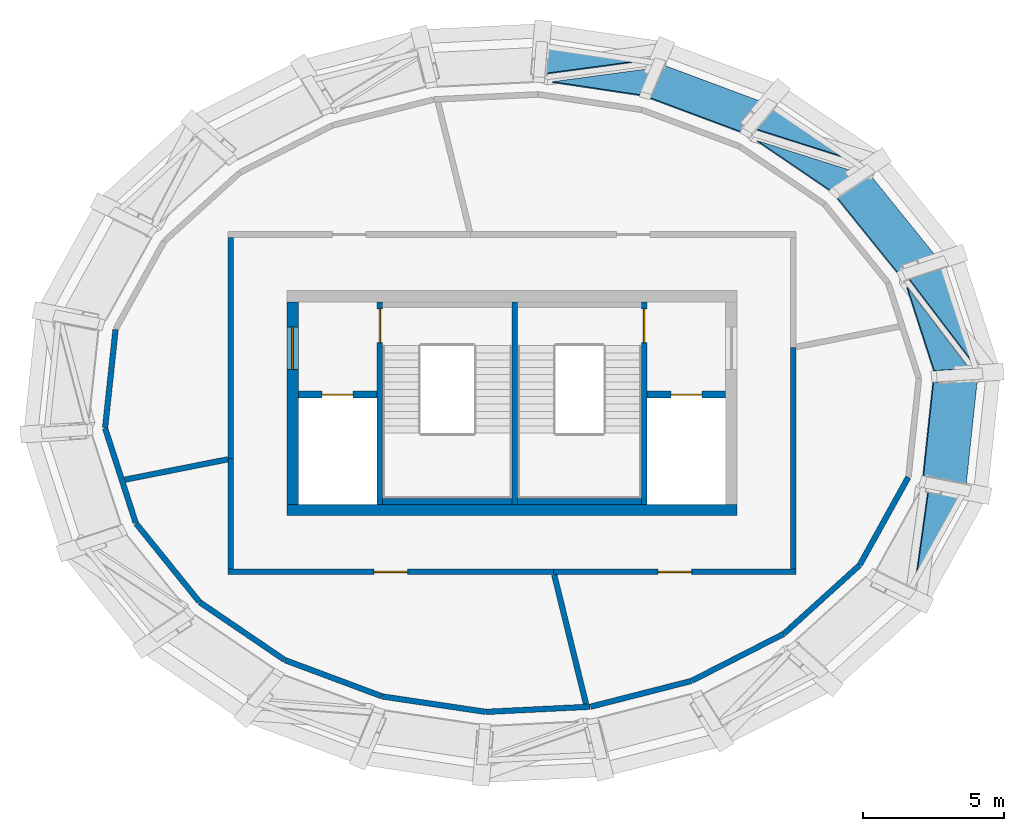
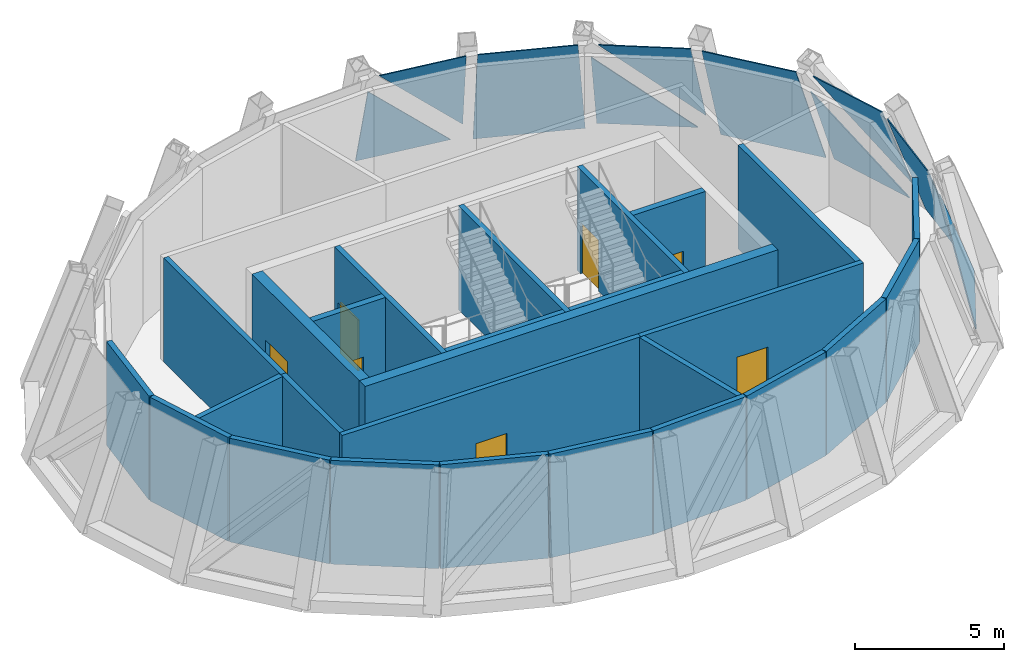
# One storey, part 4 of 6: 26 walls, 10 plates, 7 doors, 7 openings, 1 element without a shape of its own.
"""IFC4 building model written with IfcOpenShell, lengths in metres."""

from ifc_helpers import new_model, si_unit, direction, frame, frame_2d, origin, place, context, subcontext, project, spatial, polyline, rectangle, outline, extrude, source, transform, mapped, material, layer, layer_set, type_object, element, fill, aggregate, save


model = new_model("IFC4")

# Units and contexts
model_context = context("Model", 3, precision=1e-05, world=origin(), true_north=direction((0.0, 1.0)))
body_context = subcontext(model_context, "Body", "Model", "MODEL_VIEW")
ifc_project = project(units=[si_unit("LENGTHUNIT", "METRE"), si_unit("AREAUNIT", "SQUARE_METRE"), si_unit("VOLUMEUNIT", "CUBIC_METRE"), si_unit("PLANEANGLEUNIT", "RADIAN"), si_unit("MASSUNIT", "GRAM", prefix="KILO")], contexts=[model_context])

# Site, building, storey
site_placement = place(None, origin())
site = spatial("IfcSite", under=ifc_project, at=site_placement, CompositionType="ELEMENT")
building_placement = place(site_placement, origin())
building = spatial("IfcBuilding", under=site, at=building_placement, Name="Embergate Tower", CompositionType="ELEMENT")
storey_placement = place(building_placement, frame((0.0, 0.0, 361.0)))
storey = spatial("IfcBuildingStorey", under=building, at=storey_placement, Name="L82", CompositionType="ELEMENT", Elevation=361.0)

# Curtain wall, plates
ifc_material_1 = material(Name="Aluminium and glass", Category="aluminium")
curtain_wall_type = type_object("IfcCurtainWallType", Name="Crown facet glazing", PredefinedType="NOTDEFINED", material=ifc_material_1)
curtain_wall_placement = place(storey_placement, origin())
curtain_wall = element("IfcCurtainWall", 1, at=curtain_wall_placement, inside=storey, type_object=curtain_wall_type, Name="Crown facet glazing L82", ObjectType="CROWN FACET GLAZING", PredefinedType="USERDEFINED")
ifc_material_2 = material(Name="Triple glazing, low-emissivity coating", Category="glass")
ifc_layer_1 = layer(ifc_material_2, 0.0400390625)
ifc_layer_set_1 = layer_set([ifc_layer_1], Name="Triple glazing, low-emissivity coating")
plate_type = type_object("IfcPlateType", Name="Crown facet glazing unit", PredefinedType="CURTAIN_PANEL", material=ifc_layer_set_1)
shared_shape_1 = source(origin(), body_context, "Body", "SweptSolid", [
    extrude(outline(polyline([(0.0, 0.0), (3.406494140625, 0.0), (3.39599609375, 3.597412109375), (0.0, 0.0)])), origin(), (0.0, 0.0, -1.0), 0.0400390625),
])
plate_1_placement = place(storey_placement, frame((16.321044921875, 1.547607421875, 0.123291015625), z_axis=(0.897609009473, 0.28987403469, 0.332070941404), x_axis=(-0.30731267231, 0.951608596765, 0.0)))
plate_1 = element("IfcPlate", 2, at=plate_1_placement, type_object=plate_type, Name="CW panel 1.1", PredefinedType="CURTAIN_PANEL", context=body_context, shape_type="MappedRepresentation", body=[
    mapped(shared_shape_1, transform((0.0, 0.0, 0.0))),
])
shared_shape_2 = source(origin(), body_context, "Body", "SweptSolid", [
    extrude(outline(polyline([(0.0, 0.0), (4.981689453125, 0.0), (2.843505859375, 2.2646484375), (0.0, 0.0)])), origin(), (0.0, 0.0, -1.0), 0.0400390625),
])
plate_2_placement = place(storey_placement, frame((16.260009765625, 1.234619140625, 0.923095703125), z_axis=(0.897613517919, 0.290158616387, 0.331810111035), x_axis=(-0.440729406266, 0.579030127325, 0.685916687435)))
plate_2 = element("IfcPlate", 3, at=plate_2_placement, type_object=plate_type, Name="CW panel 1.2", PredefinedType="CURTAIN_PANEL", context=body_context, shape_type="MappedRepresentation", body=[
    mapped(shared_shape_2, transform((0.0, 0.0, 0.0))),
])
shared_shape_3 = source(origin(), body_context, "Body", "SweptSolid", [
    extrude(outline(polyline([(0.0, 0.0), (3.784912109375, 0.0), (3.9189453125, 4.533203125), (0.53125, 4.533447265625), (0.0, 0.0)])), origin(), (0.0, 0.0, -1.0), 0.0400390625),
])
plate_3_placement = place(storey_placement, frame((15.14599609375, 5.14111328125, 0.009521484375), z_axis=(0.738843301472, 0.596745638142, 0.313057852845), x_axis=(-0.628330855292, 0.777946229662, 6.466157e-06)))
plate_3 = element("IfcPlate", 4, at=plate_3_placement, type_object=plate_type, Name="CW panel 2.1", PredefinedType="CURTAIN_PANEL", context=body_context, shape_type="MappedRepresentation", body=[
    mapped(shared_shape_3, transform((0.0, 0.0, 0.0))),
])
shared_shape_4 = source(origin(), body_context, "Body", "SweptSolid", [
    extrude(outline(polyline([(0.0, 0.0), (3.411376953125, 0.0), (3.525146484375, 3.5830078125), (0.0, 0.0)])), origin(), (0.0, 0.0, -1.0), 0.0400390625),
])
plate_4_placement = place(storey_placement, frame((12.198486328125, 8.635009765625, 0.16455078125), z_axis=(0.537622376825, 0.790661392925, 0.29294494649), x_axis=(-0.826939812715, 0.56229044643, 0.0)))
plate_4 = element("IfcPlate", 5, at=plate_4_placement, type_object=plate_type, Name="CW panel 3.1", PredefinedType="CURTAIN_PANEL", context=body_context, shape_type="MappedRepresentation", body=[
    mapped(shared_shape_4, transform((0.0, 0.0, 0.0))),
])
shared_shape_5 = source(origin(), body_context, "Body", "SweptSolid", [
    extrude(outline(polyline([(0.0, 0.0), (5.058837890625, 0.0), (2.873779296875, 2.220947265625), (0.0, 0.0)])), origin(), (0.0, 0.0, -1.0), 0.0400390625),
])
plate_5_placement = place(storey_placement, frame((12.26123046875, 8.2109375, 0.886474609375), z_axis=(0.537637181589, 0.790647321252, 0.29295575497), x_axis=(-0.697362247419, 0.221659847917, 0.681581108671)))
plate_5 = element("IfcPlate", 6, at=plate_5_placement, type_object=plate_type, Name="CW panel 3.2", PredefinedType="CURTAIN_PANEL", context=body_context, shape_type="MappedRepresentation", body=[
    mapped(shared_shape_5, transform((0.0, 0.0, 0.0))),
])
shared_shape_6 = source(origin(), body_context, "Body", "SweptSolid", [
    extrude(outline(polyline([(0.0, 0.0), (3.82080078125, 0.0), (3.878173828125, 4.50048828125), (0.454345703125, 4.500244140625), (0.0, 0.0)])), origin(), (0.0, 0.0, -1.0), 0.0400390625),
])
plate_6_placement = place(storey_placement, frame((8.99755859375, 10.67724609375, 0.014892578125), z_axis=(0.335863416403, 0.899870911755, 0.278259065799), x_axis=(-0.936870648533, 0.349676118454, -1.002946e-05)))
plate_6 = element("IfcPlate", 7, at=plate_6_placement, type_object=plate_type, Name="CW panel 4.1", PredefinedType="CURTAIN_PANEL", context=body_context, shape_type="MappedRepresentation", body=[
    mapped(shared_shape_6, transform((0.0, 0.0, 0.0))),
])
shared_shape_7 = source(origin(), body_context, "Body", "SweptSolid", [
    extrude(outline(polyline([(0.0, 0.0), (3.426025390625, 0.0), (3.361083984375, 3.58984375), (0.0, 0.0)])), origin(), (0.0, 0.0, -1.0), 0.0400390625),
])
plate_7_placement = place(storey_placement, frame((4.6455078125, 12.194580078125, 0.150390625), z_axis=(0.14202404276, 0.952247192978, 0.270285875961), x_axis=(-0.989059890723, 0.147514516449, 0.0)))
plate_7 = element("IfcPlate", 8, at=plate_7_placement, type_object=plate_type, Name="CW panel 5.1", PredefinedType="CURTAIN_PANEL", context=body_context, shape_type="MappedRepresentation", body=[
    mapped(shared_shape_7, transform((0.0, 0.0, 0.0))),
])
shared_shape_8 = source(origin(), body_context, "Body", "SweptSolid", [
    extrude(outline(polyline([(0.0, 0.0), (4.9697265625, 0.0), (2.8232421875, 2.29296875), (0.0, 0.0)])), origin(), (0.0, 0.0, -1.0), 0.0400390625),
])
plate_8_placement = place(storey_placement, frame((4.9462890625, 11.90283203125, 0.852783203125), z_axis=(0.142043532804, 0.952245474921, 0.270281686912), x_axis=(-0.705058771486, -0.094322243677, 0.7028480939)))
plate_8 = element("IfcPlate", 9, at=plate_8_placement, type_object=plate_type, Name="CW panel 5.2", PredefinedType="CURTAIN_PANEL", context=body_context, shape_type="MappedRepresentation", body=[
    mapped(shared_shape_8, transform((0.0, 0.0, 0.0))),
])
shared_shape_9 = source(origin(), body_context, "Body", "SweptSolid", [
    extrude(outline(polyline([(0.0, 0.0), (3.419921875, 0.0), (3.04296875, 3.606201171875), (0.0, 0.0)])), origin(), (0.0, 0.0, -1.0), 0.0400390625),
])
plate_9_placement = place(storey_placement, frame((14.377197265625, -6.26708984375, 0.152587890625), z_axis=(0.828123499089, -0.457869408339, 0.323368327396), x_axis=(0.483865990963, 0.87514210434, 0.0)))
plate_9 = element("IfcPlate", 10, at=plate_9_placement, type_object=plate_type, Name="CW panel 21.1", PredefinedType="CURTAIN_PANEL", context=body_context, shape_type="MappedRepresentation", body=[
    mapped(shared_shape_9, transform((0.0, 0.0, 0.0))),
])
shared_shape_10 = source(origin(), body_context, "Body", "SweptSolid", [
    extrude(outline(polyline([(0.0, 0.0), (3.758544921875, 0.0), (3.495361328125, 4.560546875), (0.133056640625, 4.560546875), (0.0, 0.0)])), origin(), (0.0, 0.0, -1.0), 0.0400390625),
])
plate_10_placement = place(storey_placement, frame((16.15380859375, -2.890625, 0.018798828125), z_axis=(0.936275754691, -0.099622348687, 0.336842839941), x_axis=(0.10580611135, 0.994386779276, -1.633699e-06)))
plate_10 = element("IfcPlate", 11, at=plate_10_placement, type_object=plate_type, Name="CW panel 22.1", PredefinedType="CURTAIN_PANEL", context=body_context, shape_type="MappedRepresentation", body=[
    mapped(shared_shape_10, transform((0.0, 0.0, 0.0))),
])
aggregate(curtain_wall, [plate_1, plate_2, plate_3, plate_4, plate_5, plate_6, plate_7, plate_8, plate_9, plate_10])

# Wall
ifc_material_3 = material(Name="Concrete C50", Category="concrete")
ifc_layer_2 = layer(ifc_material_3, 0.39990234375)
ifc_layer_set_2 = layer_set([ifc_layer_2], Name="Concrete C50")
wall_type_1 = type_object("IfcWallType", Name="Core outer wall C50 400", PredefinedType="SHEAR", material=ifc_layer_set_2)
shared_shape_11 = source(origin(), body_context, "Body", "SweptSolid", [
    extrude(rectangle(XDim=16.0, YDim=0.39990234375, at=frame_2d((8.0, 0.0))), origin(), (0.0, 0.0, 1.0), 4.5),
])
wall_1_placement = place(storey_placement, frame((-8.0, -3.800048828125, -0.25), z_axis=(0.0, 0.0, 1.0), x_axis=(1.0, 0.0, 0.0)))
element("IfcWall", 12, at=wall_1_placement, inside=storey, type_object=wall_type_1, Name="CW-L82-S", PredefinedType="SHEAR", context=body_context, shape_type="MappedRepresentation", body=[
    mapped(shared_shape_11, transform((0.0, 0.0, 0.0))),
])

# Wall, opening, door
shared_shape_12 = source(origin(), body_context, "Body", "SweptSolid", [
    extrude(rectangle(XDim=7.2001953125, YDim=0.39990234375, at=frame_2d((3.60009765625, 0.0))), origin(), (0.0, 0.0, 1.0), 4.5),
])
wall_2_placement = place(storey_placement, frame((-7.800048828125, -3.60009765625, -0.25), z_axis=(0.0, 0.0, 1.0), x_axis=(0.0, 1.0, 0.0)))
wall_2 = element("IfcWall", 13, at=wall_2_placement, inside=storey, type_object=wall_type_1, Name="CW-L82-W", PredefinedType="SHEAR", context=body_context, shape_type="MappedRepresentation", body=[
    mapped(shared_shape_12, transform((0.0, 0.0, 0.0))),
])
shared_shape_13 = source(origin(), body_context, "Body", "SweptSolid", [
    extrude(rectangle(XDim=1.5, YDim=2.10009765625, at=frame_2d((0.75, 1.050048828125))), frame((0.0, 0.2099609375, 0.0), z_axis=(0.0, -1.0, 0.0), x_axis=(1.0, 0.0, 0.0)), (0.0, 0.0, 1.0), 0.419921875),
])
opening_1_placement = place(wall_2_placement, frame((4.800048828125, 0.0, 0.25)))
opening_1 = element("IfcOpeningElement", 14, at=opening_1_placement, cuts=wall_2, Name="Opening IF-3", PredefinedType="OPENING", context=body_context, shape_type="MappedRepresentation", body=[
    mapped(shared_shape_13, transform((0.0, 0.0, 0.0))),
])
ifc_material_4 = material(Name="Lobby fire door pair 1500")
door_type_1 = type_object("IfcDoorType", Name="Lobby fire door pair 1500", OperationType="DOUBLE_DOOR_SINGLE_SWING", PredefinedType="DOOR", material=ifc_material_4)
shared_shape_14 = source(origin(), body_context, "Body", "SweptSolid", [
    extrude(rectangle(XDim=1.5, YDim=2.10009765625, at=frame_2d((0.75, 1.050048828125))), frame((0.0, 0.02490234375, 0.0), z_axis=(0.0, -1.0, 0.0), x_axis=(1.0, 0.0, 0.0)), (0.0, 0.0, 1.0), 0.050048828125),
])
door_1_placement = place(opening_1_placement, origin())
door_1 = element("IfcDoor", 15, at=door_1_placement, inside=storey, type_object=door_type_1, Name="IF-3 door", OperationType="DOUBLE_DOOR_SINGLE_SWING", OverallHeight=2.10009765625, OverallWidth=1.5, PredefinedType="DOOR", context=body_context, shape_type="MappedRepresentation", body=[
    mapped(shared_shape_14, transform((0.0, 0.0, 0.0))),
])
fill(opening_1, door_1)

# Walls
ifc_material_5 = material(Name="Terracotta louvre cladding on insulated backing", Category="masonry")
ifc_layer_3 = layer(ifc_material_5, 0.199951171875)
ifc_layer_set_3 = layer_set([ifc_layer_3], Name="Terracotta louvre cladding on insulated backing")
wall_type_2 = type_object("IfcWallType", Name="Terracotta louvre wall", PredefinedType="SOLIDWALL", material=ifc_layer_set_3)
shared_shape_15 = source(origin(), body_context, "Body", "SweptSolid", [
    extrude(rectangle(XDim=3.588623046875, YDim=0.199951171875, at=frame_2d((1.79443359375, 0.0))), origin(), (0.0, 0.0, 1.0), 4.25),
])
wall_3_placement = place(storey_placement, frame((-11.118408203125, -7.068603515625, 0.0), z_axis=(0.0, 0.0, 1.0), x_axis=(-0.62833869063, 0.777939901186, 0.0)))
element("IfcWall", 16, at=wall_3_placement, inside=storey, type_object=wall_type_2, Name="Crown louvre wall 12", PredefinedType="SOLIDWALL", context=body_context, shape_type="MappedRepresentation", body=[
    mapped(shared_shape_15, transform((0.0, 0.0, 0.0))),
])
shared_shape_16 = source(origin(), body_context, "Body", "SweptSolid", [
    extrude(rectangle(XDim=3.645263671875, YDim=0.199951171875, at=frame_2d((1.82275390625, 0.0))), origin(), (0.0, 0.0, 1.0), 4.25),
])
wall_4_placement = place(storey_placement, frame((-8.089599609375, -9.131591796875, 0.0), z_axis=(0.0, 0.0, 1.0), x_axis=(-0.826956398418, 0.562266053675, 0.0)))
element("IfcWall", 17, at=wall_4_placement, inside=storey, type_object=wall_type_2, Name="Crown louvre wall 13", PredefinedType="SOLIDWALL", context=body_context, shape_type="MappedRepresentation", body=[
    mapped(shared_shape_16, transform((0.0, 0.0, 0.0))),
])
shared_shape_17 = source(origin(), body_context, "Body", "SweptSolid", [
    extrude(rectangle(XDim=3.682373046875, YDim=0.199951171875, at=frame_2d((1.84130859375, 0.0))), origin(), (0.0, 0.0, 1.0), 4.25),
])
wall_5_placement = place(storey_placement, frame((-4.6220703125, -10.427978515625, 0.0), z_axis=(0.0, 0.0, 1.0), x_axis=(-0.936897406931, 0.349604417716, 0.0)))
element("IfcWall", 18, at=wall_5_placement, inside=storey, type_object=wall_type_2, Name="Crown louvre wall 14", PredefinedType="SOLIDWALL", context=body_context, shape_type="MappedRepresentation", body=[
    mapped(shared_shape_17, transform((0.0, 0.0, 0.0))),
])
shared_shape_18 = source(origin(), body_context, "Body", "SweptSolid", [
    extrude(rectangle(XDim=3.701171875, YDim=0.199951171875, at=frame_2d((1.8505859375, 0.0))), origin(), (0.0, 0.0, 1.0), 4.25),
])
wall_6_placement = place(storey_placement, frame((-0.942138671875, -10.97900390625, 0.0), z_axis=(0.0, 0.0, 1.0), x_axis=(-0.989053133618, 0.147559814586, 0.0)))
element("IfcWall", 19, at=wall_6_placement, inside=storey, type_object=wall_type_2, Name="Crown louvre wall 15", PredefinedType="SOLIDWALL", context=body_context, shape_type="MappedRepresentation", body=[
    mapped(shared_shape_18, transform((0.0, 0.0, 0.0))),
])
shared_shape_19 = source(origin(), body_context, "Body", "SweptSolid", [
    extrude(rectangle(XDim=3.703857421875, YDim=0.199951171875, at=frame_2d((1.85205078125, 0.0))), origin(), (0.0, 0.0, 1.0), 4.25),
])
wall_7_placement = place(storey_placement, frame((2.77734375, -10.798583984375, 0.0), z_axis=(0.0, 0.0, 1.0), x_axis=(-0.998800036237, -0.04897435669, 0.0)))
element("IfcWall", 20, at=wall_7_placement, inside=storey, type_object=wall_type_2, Name="Crown louvre wall 16", PredefinedType="SOLIDWALL", context=body_context, shape_type="MappedRepresentation", body=[
    mapped(shared_shape_19, transform((0.0, 0.0, 0.0))),
])
shared_shape_20 = source(origin(), body_context, "Body", "SweptSolid", [
    extrude(rectangle(XDim=3.693603515625, YDim=0.199951171875, at=frame_2d((1.8466796875, 0.0))), origin(), (0.0, 0.0, 1.0), 4.25),
])
wall_8_placement = place(storey_placement, frame((6.3759765625, -9.882080078125, 0.0), z_axis=(0.0, 0.0, 1.0), x_axis=(-0.968929170675, -0.247338355731, 0.0)))
element("IfcWall", 21, at=wall_8_placement, inside=storey, type_object=wall_type_2, Name="Crown louvre wall 17", PredefinedType="SOLIDWALL", context=body_context, shape_type="MappedRepresentation", body=[
    mapped(shared_shape_20, transform((0.0, 0.0, 0.0))),
])
shared_shape_21 = source(origin(), body_context, "Body", "SweptSolid", [
    extrude(rectangle(XDim=3.666259765625, YDim=0.199951171875, at=frame_2d((1.8330078125, 0.0))), origin(), (0.0, 0.0, 1.0), 4.25),
])
wall_9_placement = place(storey_placement, frame((9.66015625, -8.208251953125, 0.0), z_axis=(0.0, 0.0, 1.0), x_axis=(-0.89069419258, -0.454602964469, 0.0)))
element("IfcWall", 22, at=wall_9_placement, inside=storey, type_object=wall_type_2, Name="Crown louvre wall 18", PredefinedType="SOLIDWALL", context=body_context, shape_type="MappedRepresentation", body=[
    mapped(shared_shape_21, transform((0.0, 0.0, 0.0))),
])
shared_shape_22 = source(origin(), body_context, "Body", "SweptSolid", [
    extrude(rectangle(XDim=3.619384765625, YDim=0.199951171875, at=frame_2d((1.8095703125, 0.0))), origin(), (0.0, 0.0, 1.0), 4.25),
])
wall_10_placement = place(storey_placement, frame((12.35888671875, -5.76708984375, 0.0), z_axis=(0.0, 0.0, 1.0), x_axis=(-0.741120145492, -0.671372422688, 0.0)))
element("IfcWall", 23, at=wall_10_placement, inside=storey, type_object=wall_type_2, Name="Crown louvre wall 19", PredefinedType="SOLIDWALL", context=body_context, shape_type="MappedRepresentation", body=[
    mapped(shared_shape_22, transform((0.0, 0.0, 0.0))),
])
shared_shape_23 = source(origin(), body_context, "Body", "SweptSolid", [
    extrude(rectangle(XDim=3.55859375, YDim=0.199951171875, at=frame_2d((1.779296875, 0.0))), origin(), (0.0, 0.0, 1.0), 4.25),
])
wall_11_placement = place(storey_placement, frame((14.09326171875, -2.6376953125, 0.0), z_axis=(0.0, 0.0, 1.0), x_axis=(-0.483958553542, -0.875090920107, 0.0)))
element("IfcWall", 24, at=wall_11_placement, inside=storey, type_object=wall_type_2, Name="Crown louvre wall 20", PredefinedType="SOLIDWALL", context=body_context, shape_type="MappedRepresentation", body=[
    mapped(shared_shape_23, transform((0.0, 0.0, 0.0))),
])
shared_shape_24 = source(origin(), body_context, "Body", "SweptSolid", [
    extrude(rectangle(XDim=3.517578125, YDim=0.199951171875, at=frame_2d((1.7587890625, 0.0))), origin(), (0.0, 0.0, 1.0), 4.25),
])
wall_12_placement = place(storey_placement, frame((-14.47119140625, -0.878662109375, 0.0), z_axis=(0.0, 0.0, 1.0), x_axis=(0.105775833098, 0.994390000519, 0.0)))
element("IfcWall", 25, at=wall_12_placement, inside=storey, type_object=wall_type_2, Name="Crown louvre wall 10", PredefinedType="SOLIDWALL", context=body_context, shape_type="MappedRepresentation", body=[
    mapped(shared_shape_24, transform((0.0, 0.0, 0.0))),
])
shared_shape_25 = source(origin(), body_context, "Body", "SweptSolid", [
    extrude(rectangle(XDim=3.532470703125, YDim=0.199951171875, at=frame_2d((1.76611328125, 0.0))), origin(), (0.0, 0.0, 1.0), 4.25),
])
wall_13_placement = place(storey_placement, frame((-13.382568359375, -4.259521484375, 0.0), z_axis=(0.0, 0.0, 1.0), x_axis=(-0.307547938379, 0.951532587776, 0.0)))
element("IfcWall", 26, at=wall_13_placement, inside=storey, type_object=wall_type_2, Name="Crown louvre wall 11", PredefinedType="SOLIDWALL", context=body_context, shape_type="MappedRepresentation", body=[
    mapped(shared_shape_25, transform((0.0, 0.0, 0.0))),
])
ifc_layer_4 = layer(ifc_material_3, 0.199951171875)
ifc_layer_set_4 = layer_set([ifc_layer_4], Name="Concrete C50")
wall_type_3 = type_object("IfcWallType", Name="Stair enclosure wall reinforced concrete 250", PredefinedType="SHEAR", material=ifc_layer_set_4)
shared_shape_26 = source(origin(), body_context, "Body", "SweptSolid", [
    extrude(rectangle(XDim=7.2001953125, YDim=0.199951171875, at=frame_2d((3.60009765625, 0.0))), origin(), (0.0, 0.0, 1.0), 4.25),
])
wall_14_placement = place(storey_placement, frame((0.10009765625, 3.60009765625, 0.0), z_axis=(0.0, 0.0, 1.0), x_axis=(0.0, -1.0, 0.0)))
element("IfcWall", 27, at=wall_14_placement, inside=storey, type_object=wall_type_3, Name="SE-1 wall", PredefinedType="SHEAR", context=body_context, shape_type="MappedRepresentation", body=[
    mapped(shared_shape_26, transform((0.0, 0.0, 0.0))),
])

# Wall, opening, door
wall_15_placement = place(storey_placement, frame((4.699951171875, -3.60009765625, 0.0), z_axis=(0.0, 0.0, 1.0), x_axis=(0.0, 1.0, 0.0)))
wall_15 = element("IfcWall", 28, at=wall_15_placement, inside=storey, type_object=wall_type_3, Name="SE-1 wall", PredefinedType="SHEAR", context=body_context, shape_type="MappedRepresentation", body=[
    mapped(shared_shape_26, transform((0.0, 0.0, 0.0))),
])
shared_shape_27 = source(origin(), body_context, "Body", "SweptSolid", [
    extrude(rectangle(XDim=1.199951171875, YDim=2.10009765625, at=frame_2d((0.60009765625, 1.050048828125))), frame((0.0, 0.10986328125, 0.0), z_axis=(0.0, -1.0, 0.0), x_axis=(1.0, 0.0, 0.0)), (0.0, 0.0, 1.0), 0.219970703125),
])
opening_2_placement = place(wall_15_placement, frame((5.75, 0.0, 0.0)))
opening_2 = element("IfcOpeningElement", 29, at=opening_2_placement, cuts=wall_15, Name="Opening IF-2", PredefinedType="OPENING", context=body_context, shape_type="MappedRepresentation", body=[
    mapped(shared_shape_27, transform((0.0, 0.0, 0.0))),
])
ifc_material_6 = material(Name="Stair enclosure door 1200")
door_type_2 = type_object("IfcDoorType", Name="Stair enclosure door 1200", OperationType="SINGLE_SWING_LEFT", PredefinedType="DOOR", material=ifc_material_6)
shared_shape_28 = source(origin(), body_context, "Body", "SweptSolid", [
    extrude(rectangle(XDim=1.199951171875, YDim=2.10009765625, at=frame_2d((0.60009765625, 1.050048828125))), frame((0.0, 0.02490234375, 0.0), z_axis=(0.0, -1.0, 0.0), x_axis=(1.0, 0.0, 0.0)), (0.0, 0.0, 1.0), 0.050048828125),
])
door_2_placement = place(opening_2_placement, origin())
door_2 = element("IfcDoor", 30, at=door_2_placement, inside=storey, type_object=door_type_2, Name="IF-2 door", OperationType="SINGLE_SWING_LEFT", OverallHeight=2.10009765625, OverallWidth=1.199951171875, PredefinedType="DOOR", context=body_context, shape_type="MappedRepresentation", body=[
    mapped(shared_shape_28, transform((0.0, 0.0, 0.0))),
])
fill(opening_2, door_2)

wall_16_placement = place(storey_placement, frame((-4.699951171875, 3.60009765625, 0.0), z_axis=(0.0, 0.0, 1.0), x_axis=(0.0, -1.0, 0.0)))
wall_16 = element("IfcWall", 31, at=wall_16_placement, inside=storey, type_object=wall_type_3, Name="SE-1 wall", PredefinedType="SHEAR", context=body_context, shape_type="MappedRepresentation", body=[
    mapped(shared_shape_26, transform((0.0, 0.0, 0.0))),
])
opening_3_placement = place(wall_16_placement, frame((0.25, 0.0, 0.0)))
opening_3 = element("IfcOpeningElement", 32, at=opening_3_placement, cuts=wall_16, Name="Opening IF-2", PredefinedType="OPENING", context=body_context, shape_type="MappedRepresentation", body=[
    mapped(shared_shape_27, transform((0.0, 0.0, 0.0))),
])
door_3_placement = place(opening_3_placement, origin())
door_3 = element("IfcDoor", 33, at=door_3_placement, inside=storey, type_object=door_type_2, Name="IF-2 door", OperationType="SINGLE_SWING_RIGHT", OverallHeight=2.10009765625, OverallWidth=1.199951171875, PredefinedType="DOOR", context=body_context, shape_type="MappedRepresentation", body=[
    mapped(shared_shape_28, transform((0.0, 0.0, 0.0))),
])
fill(opening_3, door_3)

ifc_layer_5 = layer(ifc_material_3, 0.25)
ifc_layer_set_5 = layer_set([ifc_layer_5], Name="Concrete C50")
wall_type_4 = type_object("IfcWallType", Name="Hoistway wall reinforced concrete 250", PredefinedType="SHEAR", material=ifc_layer_set_5)
shared_shape_29 = source(origin(), body_context, "Body", "SweptSolid", [
    extrude(rectangle(XDim=2.800048828125, YDim=0.25, at=frame_2d((1.39990234375, 0.0))), origin(), (0.0, 0.0, 1.0), 4.25),
])
wall_17_placement = place(storey_placement, frame((7.60009765625, 0.300048828125, 0.0), z_axis=(0.0, 0.0, 1.0), x_axis=(-1.0, 0.0, 0.0)))
wall_17 = element("IfcWall", 34, at=wall_17_placement, inside=storey, type_object=wall_type_4, Name="HW-1 wall", PredefinedType="SHEAR", context=body_context, shape_type="MappedRepresentation", body=[
    mapped(shared_shape_29, transform((0.0, 0.0, 0.0))),
])
shared_shape_30 = source(origin(), body_context, "Body", "SweptSolid", [
    extrude(rectangle(XDim=1.10009765625, YDim=2.10009765625, at=frame_2d((0.550048828125, 1.050048828125))), frame((0.0, 0.135009765625, 0.0), z_axis=(0.0, -1.0, 0.0), x_axis=(1.0, 0.0, 0.0)), (0.0, 0.0, 1.0), 0.27001953125),
])
opening_4_placement = place(wall_17_placement, frame((0.85009765625, 0.0, 0.0)))
opening_4 = element("IfcOpeningElement", 35, at=opening_4_placement, cuts=wall_17, Name="Opening LD", PredefinedType="OPENING", context=body_context, shape_type="MappedRepresentation", body=[
    mapped(shared_shape_30, transform((0.0, 0.0, 0.0))),
])
ifc_material_7 = material(Name="Landing door sliding 1100")
door_type_3 = type_object("IfcDoorType", Name="Landing door sliding 1100", OperationType="SLIDING_TO_LEFT", PredefinedType="DOOR", material=ifc_material_7)
shared_shape_31 = source(origin(), body_context, "Body", "SweptSolid", [
    extrude(rectangle(XDim=1.10009765625, YDim=2.10009765625, at=frame_2d((0.550048828125, 1.050048828125))), frame((0.0, 0.02490234375, 0.0), z_axis=(0.0, -1.0, 0.0), x_axis=(1.0, 0.0, 0.0)), (0.0, 0.0, 1.0), 0.050048828125),
])
door_4_placement = place(opening_4_placement, origin())
door_4 = element("IfcDoor", 36, at=door_4_placement, inside=storey, type_object=door_type_3, Name="LD door", OperationType="SLIDING_TO_LEFT", OverallHeight=2.10009765625, OverallWidth=1.10009765625, PredefinedType="DOOR", context=body_context, shape_type="MappedRepresentation", body=[
    mapped(shared_shape_31, transform((0.0, 0.0, 0.0))),
])
fill(opening_4, door_4)

wall_18_placement = place(storey_placement, frame((-4.800048828125, 0.300048828125, 0.0), z_axis=(0.0, 0.0, 1.0), x_axis=(-1.0, 0.0, 0.0)))
wall_18 = element("IfcWall", 37, at=wall_18_placement, inside=storey, type_object=wall_type_4, Name="HW-1 wall", PredefinedType="SHEAR", context=body_context, shape_type="MappedRepresentation", body=[
    mapped(shared_shape_29, transform((0.0, 0.0, 0.0))),
])
opening_5_placement = place(wall_18_placement, frame((0.85009765625, 0.0, 0.0)))
opening_5 = element("IfcOpeningElement", 38, at=opening_5_placement, cuts=wall_18, Name="Opening LD", PredefinedType="OPENING", context=body_context, shape_type="MappedRepresentation", body=[
    mapped(shared_shape_30, transform((0.0, 0.0, 0.0))),
])
door_5_placement = place(opening_5_placement, origin())
door_5 = element("IfcDoor", 39, at=door_5_placement, inside=storey, type_object=door_type_3, Name="LD door", OperationType="SLIDING_TO_LEFT", OverallHeight=2.10009765625, OverallWidth=1.10009765625, PredefinedType="DOOR", context=body_context, shape_type="MappedRepresentation", body=[
    mapped(shared_shape_31, transform((0.0, 0.0, 0.0))),
])
fill(opening_5, door_5)

# Walls
shared_shape_32 = source(origin(), body_context, "Body", "SweptSolid", [
    extrude(rectangle(XDim=9.59619140625, YDim=0.199951171875, at=frame_2d((4.798095703125, 0.0))), origin(), (0.0, 0.0, 1.0), 4.25),
])
wall_19_placement = place(storey_placement, frame((-4.798095703125, -3.5, 0.0), z_axis=(0.0, 0.0, 1.0), x_axis=(1.0, 0.0, 0.0)))
element("IfcWall", 40, at=wall_19_placement, inside=storey, type_object=wall_type_3, Name="SE-1 wall", PredefinedType="SHEAR", context=body_context, shape_type="MappedRepresentation", body=[
    mapped(shared_shape_32, transform((0.0, 0.0, 0.0))),
])
ifc_material_8 = material(Name="Blockwork, plastered", Category="masonry")
ifc_layer_6 = layer(ifc_material_8, 0.199951171875)
ifc_layer_set_6 = layer_set([ifc_layer_6], Name="Blockwork, plastered")
wall_type_5 = type_object("IfcWallType", Name="Fire partition wall 200 block", PredefinedType="PARTITIONING", material=ifc_layer_set_6)
shared_shape_33 = source(origin(), body_context, "Body", "SweptSolid", [
    extrude(rectangle(XDim=3.9228515625, YDim=0.199951171875, at=frame_2d((1.96142578125, 0.0))), origin(), (0.0, 0.0, 1.0), 4.25),
])
wall_20_placement = place(storey_placement, frame((-10.0, -5.89990234375, 0.0), z_axis=(0.0, 0.0, 1.0), x_axis=(0.0, 1.0, 0.0)))
element("IfcWall", 41, at=wall_20_placement, inside=storey, type_object=wall_type_5, Name="Partition 001", PredefinedType="PARTITIONING", context=body_context, shape_type="MappedRepresentation", body=[
    mapped(shared_shape_33, transform((0.0, 0.0, 0.0))),
])
shared_shape_34 = source(origin(), body_context, "Body", "SweptSolid", [
    extrude(rectangle(XDim=3.737060546875, YDim=0.199951171875, at=frame_2d((1.86865234375, 0.0))), origin(), (0.0, 0.0, 1.0), 4.25),
])
wall_21_placement = place(storey_placement, frame((-10.10791015625, -1.998046875, 0.0), z_axis=(0.0, 0.0, 1.0), x_axis=(-0.981007998173, -0.193967284668, 0.0)))
element("IfcWall", 42, at=wall_21_placement, inside=storey, type_object=wall_type_5, Name="Partition 002", PredefinedType="PARTITIONING", context=body_context, shape_type="MappedRepresentation", body=[
    mapped(shared_shape_34, transform((0.0, 0.0, 0.0))),
])
shared_shape_35 = source(origin(), body_context, "Body", "SweptSolid", [
    extrude(rectangle(XDim=7.876953125, YDim=0.199951171875, at=frame_2d((3.9384765625, 0.0))), origin(), (0.0, 0.0, 1.0), 4.25),
])
for number, where, z_axis, x_axis, name in (
    (43, (-10.0, -1.97705078125, 0.0), (0.0, 0.0, 1.0), (0.0, 1.0, 0.0), "Partition 003"),
    (44, (10.0, 1.97705078125, 0.0), (0.0, 0.0, 1.0), (0.0, -1.0, 0.0), "Partition 010"),
):
    element("IfcWall", number, at=place(storey_placement, frame(where, z_axis=z_axis, x_axis=x_axis)), inside=storey, type_object=wall_type_5, Name=name, PredefinedType="PARTITIONING", context=body_context, shape_type="MappedRepresentation", body=[
        mapped(shared_shape_35, transform((0.0, 0.0, 0.0))),
    ])

# Wall, opening, door
shared_shape_36 = source(origin(), body_context, "Body", "SweptSolid", [
    extrude(rectangle(XDim=8.623046875, YDim=0.199951171875, at=frame_2d((4.3115234375, 0.0))), origin(), (0.0, 0.0, 1.0), 4.25),
])
wall_22_placement = place(storey_placement, frame((10.10009765625, -6.0, 0.0), z_axis=(0.0, 0.0, 1.0), x_axis=(-1.0, 0.0, 0.0)))
wall_22 = element("IfcWall", 45, at=wall_22_placement, inside=storey, type_object=wall_type_5, Name="Partition 009", PredefinedType="PARTITIONING", context=body_context, shape_type="MappedRepresentation", body=[
    mapped(shared_shape_36, transform((0.0, 0.0, 0.0))),
])
opening_6_placement = place(wall_22_placement, frame((3.7109375, 0.0, 0.0)))
opening_6 = element("IfcOpeningElement", 46, at=opening_6_placement, cuts=wall_22, Name="Opening DS-288", PredefinedType="OPENING", context=body_context, shape_type="MappedRepresentation", body=[
    mapped(shared_shape_27, transform((0.0, 0.0, 0.0))),
])
ifc_material_9 = material(Name="Timber door leaf, steel frame", Category="steel")
door_type_4 = type_object("IfcDoorType", Name="Plant door 1200x2100", OperationType="SINGLE_SWING_LEFT", PredefinedType="DOOR", material=ifc_material_9)
shared_shape_37 = source(origin(), body_context, "Body", "SweptSolid", [
    extrude(rectangle(XDim=1.199951171875, YDim=2.10009765625, at=frame_2d((0.60009765625, 1.050048828125))), frame((0.0, 0.02490234375, 0.0), z_axis=(0.0, -1.0, 0.0), x_axis=(1.0, 0.0, 0.0)), (0.0, 0.0, 1.0), 0.050048828125),
])
door_6_placement = place(opening_6_placement, origin())
door_6 = element("IfcDoor", 47, at=door_6_placement, inside=storey, type_object=door_type_4, Name="Door to Crown chiller plant", OperationType="SINGLE_SWING_LEFT", OverallHeight=2.10009765625, OverallWidth=1.199951171875, PredefinedType="DOOR", context=body_context, shape_type="MappedRepresentation", body=[
    mapped(shared_shape_37, transform((0.0, 0.0, 0.0))),
])
fill(opening_6, door_6)

# Wall
shared_shape_38 = source(origin(), body_context, "Body", "SweptSolid", [
    extrude(rectangle(XDim=4.7353515625, YDim=0.199951171875, at=frame_2d((2.36767578125, 0.0))), origin(), (0.0, 0.0, 1.0), 4.25),
])
wall_23_placement = place(storey_placement, frame((1.5029296875, -6.10693359375, 0.0), z_axis=(0.0, 0.0, 1.0), x_axis=(0.239064665941, -0.971003648551, 0.0)))
element("IfcWall", 48, at=wall_23_placement, inside=storey, type_object=wall_type_5, Name="Partition 008", PredefinedType="PARTITIONING", context=body_context, shape_type="MappedRepresentation", body=[
    mapped(shared_shape_38, transform((0.0, 0.0, 0.0))),
])

# Wall, opening, door
shared_shape_39 = source(origin(), body_context, "Body", "SweptSolid", [
    extrude(rectangle(XDim=11.5771484375, YDim=0.199951171875, at=frame_2d((5.78857421875, 0.0))), origin(), (0.0, 0.0, 1.0), 4.25),
])
wall_24_placement = place(storey_placement, frame((1.47705078125, -6.0, 0.0), z_axis=(0.0, 0.0, 1.0), x_axis=(-1.0, 0.0, 0.0)))
wall_24 = element("IfcWall", 49, at=wall_24_placement, inside=storey, type_object=wall_type_5, Name="Partition 007", PredefinedType="PARTITIONING", context=body_context, shape_type="MappedRepresentation", body=[
    mapped(shared_shape_39, transform((0.0, 0.0, 0.0))),
])
opening_7_placement = place(wall_24_placement, frame((5.18896484375, 0.0, 0.0)))
opening_7 = element("IfcOpeningElement", 50, at=opening_7_placement, cuts=wall_24, Name="Opening DS-287", PredefinedType="OPENING", context=body_context, shape_type="MappedRepresentation", body=[
    mapped(shared_shape_27, transform((0.0, 0.0, 0.0))),
])
door_7_placement = place(opening_7_placement, origin())
door_7 = element("IfcDoor", 51, at=door_7_placement, inside=storey, type_object=door_type_4, Name="Door to Crown water tank room", OperationType="SINGLE_SWING_LEFT", OverallHeight=2.10009765625, OverallWidth=1.199951171875, PredefinedType="DOOR", context=body_context, shape_type="MappedRepresentation", body=[
    mapped(shared_shape_37, transform((0.0, 0.0, 0.0))),
])
fill(opening_7, door_7)

save(model, "model.ifc")
